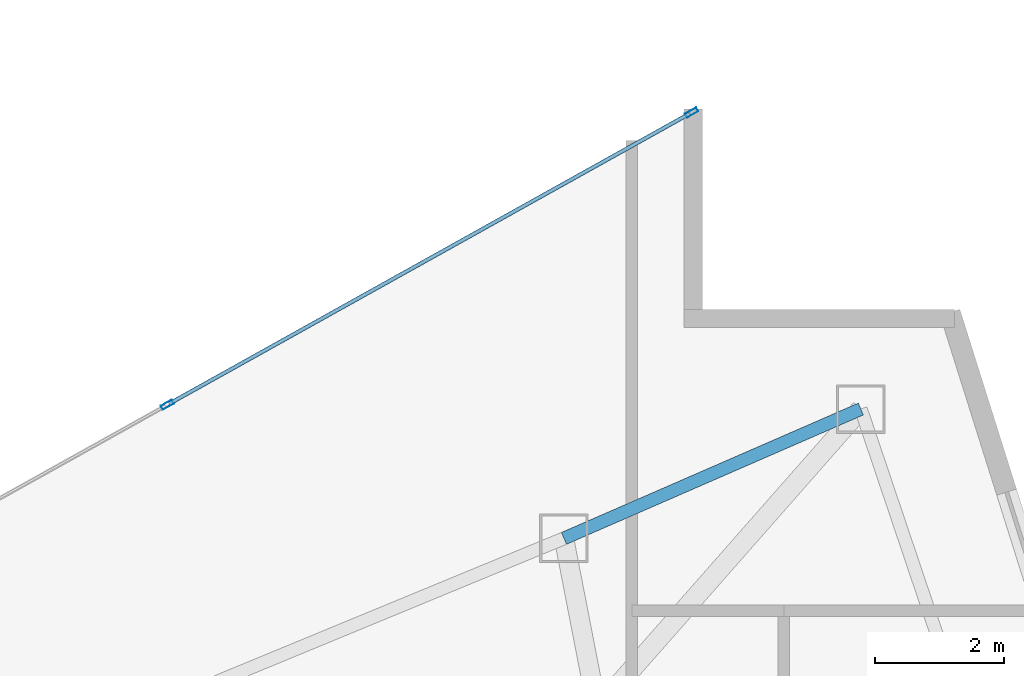
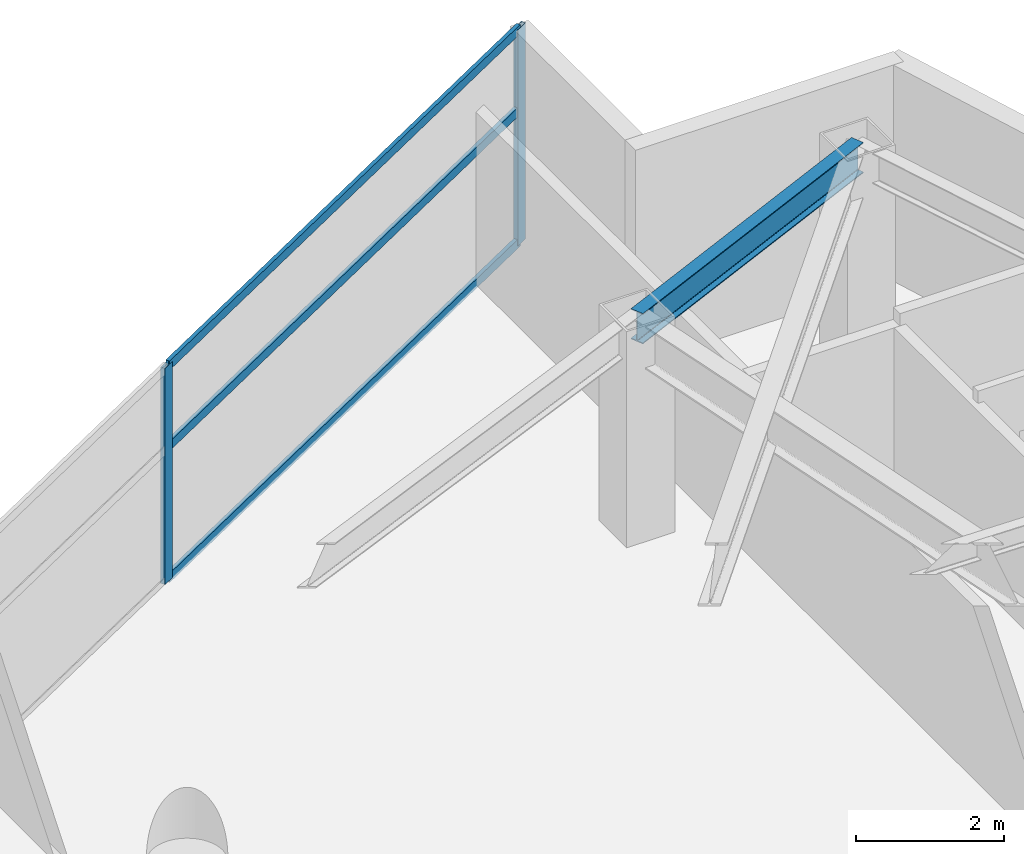
# One storey, part 20 of 29: 5 members, 1 beam, 1 element without a shape of its own.
"""IFC4 building model written with IfcOpenShell, lengths in metres."""

from ifc_helpers import new_model, si_unit, direction, frame, origin, origin_2d, place, context, subcontext, project, spatial, hollow_rectangle, i_section, extrude, material, layer, layer_set, material_profile, profile_set, type_object, element, aggregate, save


model = new_model("IFC4")

# Units and contexts
model_context = context("Model", 3, precision=1e-05, world=origin(), true_north=direction((0.0, 1.0)))
body_context = subcontext(model_context, "Body", "Model", "MODEL_VIEW")
ifc_project = project(units=[si_unit("LENGTHUNIT", "METRE"), si_unit("AREAUNIT", "SQUARE_METRE"), si_unit("VOLUMEUNIT", "CUBIC_METRE"), si_unit("PLANEANGLEUNIT", "RADIAN"), si_unit("MASSUNIT", "GRAM", prefix="KILO")], contexts=[model_context])

# Site, building, storey
site_placement = place(None, origin())
site = spatial("IfcSite", under=ifc_project, at=site_placement, CompositionType="ELEMENT")
building_placement = place(site_placement, origin())
building = spatial("IfcBuilding", under=site, at=building_placement, Name="Calvorn Quay Hotel", CompositionType="ELEMENT")
storey_placement = place(building_placement, frame((0.0, 0.0, 105.0)))
storey = spatial("IfcBuildingStorey", under=building, at=storey_placement, Name="L25", CompositionType="ELEMENT", Elevation=105.0)

# Beam
ifc_material_1 = material(Name="Steel Q355B", Category="steel")
ifc_material_profile_1 = material_profile(ifc_material_1, i_section(OverallWidth=0.199951171875, OverallDepth=0.5, WebThickness=0.010009765625, FlangeThickness=0.01611328125, FilletRadius=0.01611328125, at=origin_2d()), Name="HN500x200x10x16")
ifc_profile_set_1 = profile_set([ifc_material_profile_1], Name="Steel Q355B")
beam_type = type_object("IfcBeamType", Name="BM-SPANDREL-Z1", PredefinedType="SPANDREL", material=ifc_profile_set_1)
beam_placement = place(storey_placement, frame((48.591064453125, 33.39990234375, 3.2900390625), z_axis=(-0.916786146489, -0.399378469132, 0.0), x_axis=(0.399378469132, -0.916786146489, 0.0)))
element("IfcBeam", 1, at=beam_placement, inside=storey, type_object=beam_type, Name="Beam BSP-L25-E3", PredefinedType="SPANDREL", context=body_context, shape_type="SweptSolid", body=[
    extrude(i_section(OverallWidth=0.199951171875, OverallDepth=0.5, WebThickness=0.010009765625, FlangeThickness=0.01611328125, FilletRadius=0.01611328125, at=origin_2d()), origin(), (0.0, 0.0, 1.0), 5.0078125),
])

# Curtain wall, members
ifc_material_2 = material(Name="Pale Anodised Aluminium and Low-E Glass", Category="aluminium")
ifc_layer = layer(ifc_material_2, 0.219970703125)
ifc_layer_set = layer_set([ifc_layer], Name="CW-SYS-Z2")
curtain_wall_type = type_object("IfcCurtainWallType", Name="CW-SYS-Z2", PredefinedType="NOTDEFINED", material=ifc_layer_set)
curtain_wall_placement = place(storey_placement, origin())
curtain_wall = element("IfcCurtainWall", 2, at=curtain_wall_placement, inside=storey, type_object=curtain_wall_type, Name="Inner Court Curtain Wall L25-NE1", PredefinedType="NOTDEFINED")
ifc_material_3 = material(Name="Pale Anodised Aluminium 6063-T6", Category="aluminium")
ifc_material_profile_2 = material_profile(ifc_material_3, hollow_rectangle(XDim=0.070068359375, YDim=0.199951171875, WallThickness=0.00390625, at=origin_2d()), Name="ALU-M200x70x4")
ifc_profile_set_2 = profile_set([ifc_material_profile_2], Name="Pale Anodised Aluminium 6063-T6")
member_type_1 = type_object("IfcMemberType", Name="CW-SYS-Z2-MUL", PredefinedType="MULLION", material=ifc_profile_set_2)
member_1_placement = place(storey_placement, frame((45.973876953125, 37.9853515625, 0.0), z_axis=(0.0, 0.0, 1.0), x_axis=(0.486858256224, -0.873480989116, 0.0)))
member_1 = element("IfcMember", 3, at=member_1_placement, type_object=member_type_1, Name="CW-L25-NE1 mullion 1", PredefinedType="MULLION", context=body_context, shape_type="SweptSolid", body=[
    extrude(hollow_rectangle(XDim=0.070068359375, YDim=0.199951171875, WallThickness=0.00390625, at=origin_2d()), origin(), (0.0, 0.0, 1.0), 3.56005859375),
])
member_2_placement = place(storey_placement, frame((37.86669921875, 33.466552734375, 0.0), z_axis=(0.0, 0.0, 1.0), x_axis=(0.486858256224, -0.873480989116, 0.0)))
member_2 = element("IfcMember", 4, at=member_2_placement, type_object=member_type_1, Name="CW-L25-NE1 mullion 2", PredefinedType="MULLION", context=body_context, shape_type="SweptSolid", body=[
    extrude(hollow_rectangle(XDim=0.070068359375, YDim=0.199951171875, WallThickness=0.00390625, at=origin_2d()), origin(), (0.0, 0.0, 1.0), 3.56005859375),
])
ifc_material_4 = material(Name="Pale Anodised Aluminium 6063-T6", Category="aluminium")
ifc_material_profile_3 = material_profile(ifc_material_4, hollow_rectangle(XDim=0.06005859375, YDim=0.14990234375, WallThickness=0.00341796875, at=origin_2d()), Name="ALU-T150x60x3.5")
ifc_profile_set_3 = profile_set([ifc_material_profile_3], Name="Pale Anodised Aluminium 6063-T6")
member_type_2 = type_object("IfcMemberType", Name="CW-SYS-Z2-TRN", PredefinedType="USERDEFINED", material=ifc_profile_set_3)
member_3_placement = place(storey_placement, frame((45.947509765625, 37.970703125, 0.030029296875), z_axis=(-0.87348080454, -0.486858587375, 0.0), x_axis=(0.486858587375, -0.87348080454, 0.0)))
member_3 = element("IfcMember", 5, at=member_3_placement, type_object=member_type_2, Name="CW-L25-NE1 transom 1.1", ObjectType="TRANSOM", PredefinedType="USERDEFINED", context=body_context, shape_type="SweptSolid", body=[
    extrude(hollow_rectangle(XDim=0.06005859375, YDim=0.14990234375, WallThickness=0.00341796875, at=origin_2d()), origin(), (0.0, 0.0, 1.0), 9.221435546875),
])
member_4_placement = place(storey_placement, frame((45.947509765625, 37.970703125, 2.199951171875), z_axis=(-0.87348080454, -0.486858587375, 0.0), x_axis=(0.486858587375, -0.87348080454, 0.0)))
member_4 = element("IfcMember", 6, at=member_4_placement, type_object=member_type_2, Name="CW-L25-NE1 transom 1.2", ObjectType="TRANSOM", PredefinedType="USERDEFINED", context=body_context, shape_type="SweptSolid", body=[
    extrude(hollow_rectangle(XDim=0.06005859375, YDim=0.14990234375, WallThickness=0.00341796875, at=origin_2d()), origin(), (0.0, 0.0, 1.0), 9.221435546875),
])
member_5_placement = place(storey_placement, frame((45.947509765625, 37.970703125, 3.530029296875), z_axis=(-0.87348080454, -0.486858587375, 0.0), x_axis=(0.486858587375, -0.87348080454, 0.0)))
member_5 = element("IfcMember", 7, at=member_5_placement, type_object=member_type_2, Name="CW-L25-NE1 transom 1.3", ObjectType="TRANSOM", PredefinedType="USERDEFINED", context=body_context, shape_type="SweptSolid", body=[
    extrude(hollow_rectangle(XDim=0.06005859375, YDim=0.14990234375, WallThickness=0.00341796875, at=origin_2d()), origin(), (0.0, 0.0, 1.0), 9.221435546875),
])
aggregate(curtain_wall, [member_1, member_2, member_3, member_4, member_5])

save(model, "model.ifc")
